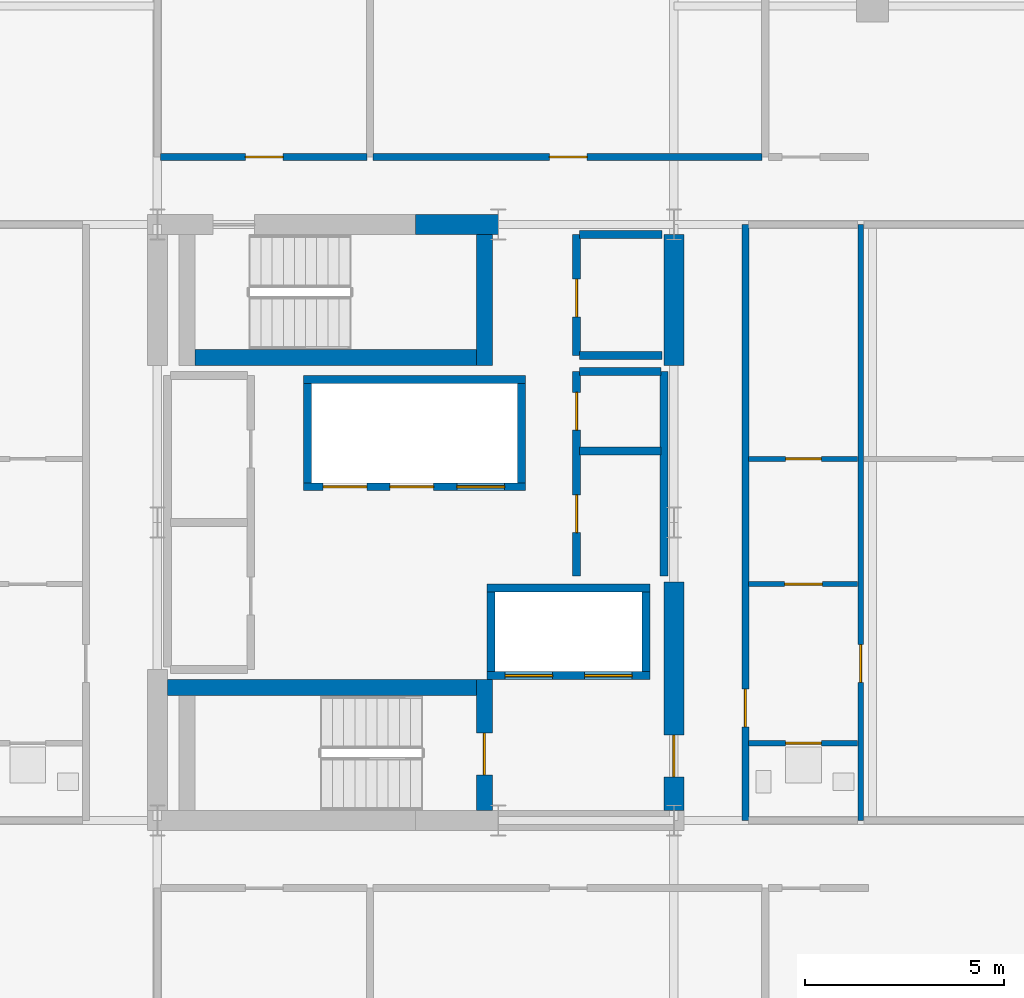
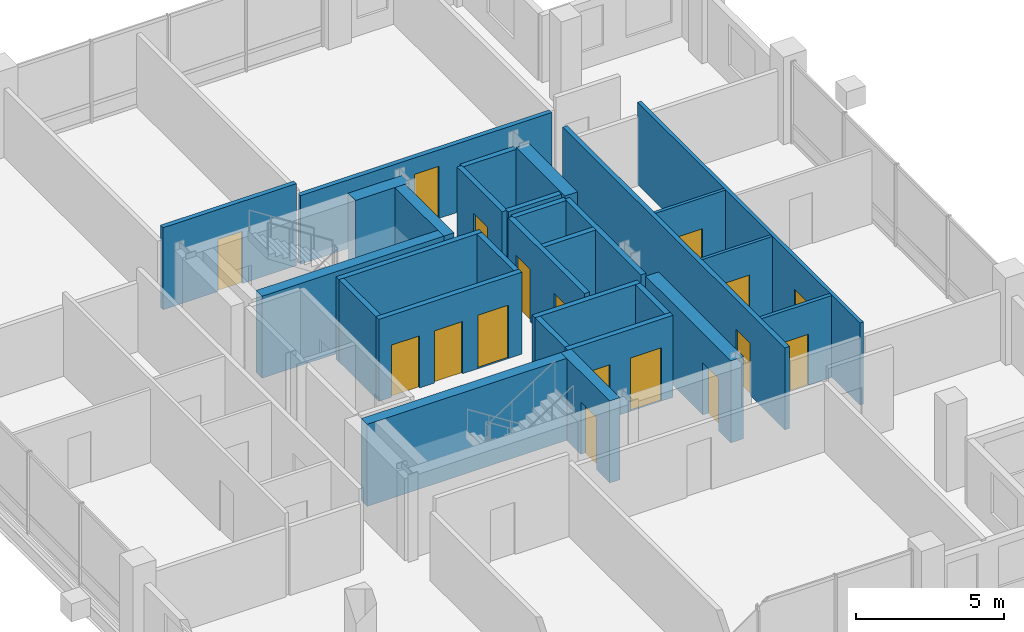
# One storey, part 17 of 21: 29 walls, 17 doors, 17 openings.
"""IFC4 building model written with IfcOpenShell, lengths in metres."""

from ifc_helpers import new_model, si_unit, direction, frame, frame_2d, origin, place, context, subcontext, project, spatial, rectangle, extrude, material, layer, layer_set, type_object, element, fill, save


model = new_model("IFC4")

# Units and contexts
model_context = context("Model", 3, precision=1e-05, world=origin(), true_north=direction((0.0, 1.0)))
body_context = subcontext(model_context, "Body", "Model", "MODEL_VIEW")
ifc_project = project(units=[si_unit("LENGTHUNIT", "METRE"), si_unit("AREAUNIT", "SQUARE_METRE"), si_unit("VOLUMEUNIT", "CUBIC_METRE"), si_unit("PLANEANGLEUNIT", "RADIAN"), si_unit("MASSUNIT", "GRAM", prefix="KILO")], contexts=[model_context])

# Site, building, storey
site_placement = place(None, origin())
site = spatial("IfcSite", under=ifc_project, at=site_placement, CompositionType="ELEMENT")
building_placement = place(site_placement, origin())
building = spatial("IfcBuilding", under=site, at=building_placement, Name="Barlavira Tower and Art Museum", CompositionType="ELEMENT")
storey_placement = place(building_placement, frame((0.0, 0.0, 287.10009765625)))
storey = spatial("IfcBuildingStorey", under=building, at=storey_placement, Name="L75", CompositionType="ELEMENT", Elevation=287.10009765625)

# Wall, opening, door
ifc_material_1 = material(Name="Gypsum acoustic stud partition", Category="gypsum")
ifc_layer_1 = layer(ifc_material_1, 0.1201171875, Name="Gypsum acoustic stud partition")
ifc_layer_set_1 = layer_set([ifc_layer_1], Name="Gypsum acoustic stud partition")
wall_type_1 = type_object("IfcWallType", Name="Apartment Internal Acoustic Partition 120", PredefinedType="PARTITIONING", material=ifc_layer_set_1)
wall_1_placement = place(storey_placement, frame((8.3798828125, -1.550048828125, 0.0), z_axis=(0.0, 0.0, 1.0), x_axis=(1.0, 0.0, 0.0)))
wall_1 = element("IfcWall", 1, at=wall_1_placement, inside=storey, type_object=wall_type_1, Name="L75 Partition Wall 27", PredefinedType="PARTITIONING", context=body_context, shape_type="SweptSolid", body=[
    extrude(rectangle(XDim=2.740234375, YDim=0.1201171875, at=frame_2d((1.3701171875, 0.0))), origin(), (0.0, 0.0, 1.0), 3.3798828125),
])
opening_1_placement = place(wall_1_placement, frame((0.905029296875, 0.0, 0.0)))
opening_1 = element("IfcOpeningElement", 2, at=opening_1_placement, cuts=wall_1, Name="Opening D-02", PredefinedType="OPENING", context=body_context, shape_type="SweptSolid", body=[
    extrude(rectangle(XDim=0.949951171875, YDim=2.10009765625, at=frame_2d((0.47509765625, 1.050048828125))), frame((0.0, 0.070068359375, 0.0), z_axis=(0.0, -1.0, 0.0), x_axis=(1.0, 0.0, 0.0)), (0.0, 0.0, 1.0), 0.14013671875),
])
ifc_material_2 = material(Name="Engineered coastal hardwood", Category="wood")
door_type_1 = type_object("IfcDoorType", Name="Living and Salon Glazed-Leaf Door 950x2100", OperationType="NOTDEFINED", PredefinedType="DOOR", material=ifc_material_2)
door_1_placement = place(opening_1_placement, origin())
door_1 = element("IfcDoor", 3, at=door_1_placement, inside=storey, type_object=door_type_1, Name="Apartment E1 Kitchen Door", OperationType="SINGLE_SWING_RIGHT", OverallHeight=2.10009765625, OverallWidth=0.949951171875, PredefinedType="DOOR", context=body_context, shape_type="SweptSolid", body=[
    extrude(rectangle(XDim=0.949951171875, YDim=2.10009765625, at=frame_2d((0.47509765625, 1.050048828125))), frame((0.0, 0.02490234375, 0.0), z_axis=(0.0, -1.0, 0.0), x_axis=(1.0, 0.0, 0.0)), (0.0, 0.0, 1.0), 0.050048828125),
])
fill(opening_1, door_1)

wall_2_placement = place(storey_placement, frame((8.3798828125, 1.60009765625, 0.0), z_axis=(0.0, 0.0, 1.0), x_axis=(1.0, 0.0, 0.0)))
wall_2 = element("IfcWall", 4, at=wall_2_placement, inside=storey, type_object=wall_type_1, Name="L75 Partition Wall 31", PredefinedType="PARTITIONING", context=body_context, shape_type="SweptSolid", body=[
    extrude(rectangle(XDim=2.740234375, YDim=0.1201171875, at=frame_2d((1.3701171875, 0.0))), origin(), (0.0, 0.0, 1.0), 3.3798828125),
])
opening_2_placement = place(wall_2_placement, frame((0.929931640625, 0.0, 0.0)))
opening_2 = element("IfcOpeningElement", 5, at=opening_2_placement, cuts=wall_2, Name="Opening D-01", PredefinedType="OPENING", context=body_context, shape_type="SweptSolid", body=[
    extrude(rectangle(XDim=0.89990234375, YDim=2.10009765625, at=frame_2d((0.449951171875, 1.050048828125))), frame((0.0, 0.070068359375, 0.0), z_axis=(0.0, -1.0, 0.0), x_axis=(1.0, 0.0, 0.0)), (0.0, 0.0, 1.0), 0.14013671875),
])
door_type_2 = type_object("IfcDoorType", Name="Internal Bedroom Timber Flush Door 900x2100", OperationType="NOTDEFINED", PredefinedType="DOOR", material=ifc_material_2)
door_2_placement = place(opening_2_placement, origin())
door_2 = element("IfcDoor", 6, at=door_2_placement, inside=storey, type_object=door_type_2, Name="Apartment E1 Walk-In Dressing Room Door", OperationType="SINGLE_SWING_LEFT", OverallHeight=2.10009765625, OverallWidth=0.89990234375, PredefinedType="DOOR", context=body_context, shape_type="SweptSolid", body=[
    extrude(rectangle(XDim=0.89990234375, YDim=2.10009765625, at=frame_2d((0.449951171875, 1.050048828125))), frame((0.0, 0.02490234375, 0.0), z_axis=(0.0, -1.0, 0.0), x_axis=(1.0, 0.0, 0.0)), (0.0, 0.0, 1.0), 0.050048828125),
])
fill(opening_2, door_2)

# Wall
ifc_material_3 = material(Name="Concrete C60", Category="concrete")
ifc_layer_2 = layer(ifc_material_3, 0.5, Name="Concrete C60")
ifc_layer_set_2 = layer_set([ifc_layer_2], Name="Concrete C60")
wall_type_2 = type_object("IfcWallType", Name="Core Structural Shear Wall 500 Concrete C60", PredefinedType="SHEAR", material=ifc_layer_set_2)
wall_3_placement = place(storey_placement, frame((0.0, 7.5, 0.0), z_axis=(0.0, 0.0, 1.0), x_axis=(1.0, 0.0, 0.0)))
element("IfcWall", 7, at=wall_3_placement, inside=storey, type_object=wall_type_2, Name="L75 Core Shear Wall CS-EN", PredefinedType="SHEAR", context=body_context, shape_type="SweptSolid", body=[
    extrude(rectangle(XDim=2.080078125, YDim=0.5, at=frame_2d((1.0400390625, 0.0))), origin(), (0.0, 0.0, 1.0), 3.3798828125),
])

# Wall, opening, door
wall_4_placement = place(storey_placement, frame((6.5, -7.25, 0.0), z_axis=(0.0, 0.0, 1.0), x_axis=(0.0, 1.0, 0.0)))
wall_4 = element("IfcWall", 8, at=wall_4_placement, inside=storey, type_object=wall_type_2, Name="L75 Core Shear Wall CS-E1", PredefinedType="SHEAR", context=body_context, shape_type="SweptSolid", body=[
    extrude(rectangle(XDim=5.75, YDim=0.5, at=frame_2d((2.875, 0.0))), origin(), (0.0, 0.0, 1.0), 3.3798828125),
])
opening_3_placement = place(wall_4_placement, frame((0.85009765625, 0.0, 0.0)))
opening_3 = element("IfcOpeningElement", 9, at=opening_3_placement, cuts=wall_4, Name="Opening FD-90", PredefinedType="OPENING", context=body_context, shape_type="SweptSolid", body=[
    extrude(rectangle(XDim=1.050048828125, YDim=2.14990234375, at=frame_2d((0.52490234375, 1.074951171875))), frame((0.0, 0.260009765625, 0.0), z_axis=(0.0, -1.0, 0.0), x_axis=(1.0, 0.0, 0.0)), (0.0, 0.0, 1.0), 0.52001953125),
])
ifc_material_4 = material(Name="Brushed stainless steel", Category="steel")
door_type_3 = type_object("IfcDoorType", Name="Stair and Refuge Fire Door 1050x2150 FD90S", OperationType="NOTDEFINED", PredefinedType="DOOR", material=ifc_material_4)
door_3_placement = place(opening_3_placement, origin())
door_3 = element("IfcDoor", 10, at=door_3_placement, inside=storey, type_object=door_type_3, Name="L75 Firefighting Lobby Entry Fire Door", OperationType="SINGLE_SWING_LEFT", OverallHeight=2.14990234375, OverallWidth=1.050048828125, PredefinedType="DOOR", context=body_context, shape_type="SweptSolid", body=[
    extrude(rectangle(XDim=1.050048828125, YDim=2.14990234375, at=frame_2d((0.52490234375, 1.074951171875))), frame((0.0, 0.02490234375, 0.0), z_axis=(0.0, -1.0, 0.0), x_axis=(1.0, 0.0, 0.0)), (0.0, 0.0, 1.0), 0.050048828125),
])
fill(opening_3, door_3)

# Wall
wall_5_placement = place(storey_placement, frame((6.5, 3.949951171875, 0.0), z_axis=(0.0, 0.0, 1.0), x_axis=(0.0, 1.0, 0.0)))
element("IfcWall", 11, at=wall_5_placement, inside=storey, type_object=wall_type_2, Name="L75 Core Shear Wall CS-E2", PredefinedType="SHEAR", context=body_context, shape_type="SweptSolid", body=[
    extrude(rectangle(XDim=3.300048828125, YDim=0.5, at=frame_2d((1.64990234375, 0.0))), origin(), (0.0, 0.0, 1.0), 3.3798828125),
])

# Wall, openings, doors
ifc_material_5 = material(Name="Autoclaved aerated concrete masonry", Category="masonry")
ifc_layer_3 = layer(ifc_material_5, 0.199951171875, Name="Autoclaved aerated concrete masonry")
ifc_layer_set_3 = layer_set([ifc_layer_3], Name="Autoclaved aerated concrete masonry")
wall_type_3 = type_object("IfcWallType", Name="Fire Compartment and Shaft Wall 200", PredefinedType="SOLIDWALL", material=ifc_layer_set_3)
wall_6_placement = place(storey_placement, frame((-2.820068359375, 0.89990234375, 0.0), z_axis=(0.0, 0.0, 1.0), x_axis=(1.0, 0.0, 0.0)))
wall_6 = element("IfcWall", 12, at=wall_6_placement, inside=storey, type_object=wall_type_3, Name="L75 High-Rise & Service Lift Front Wall", PredefinedType="SOLIDWALL", context=body_context, shape_type="SweptSolid", body=[
    extrude(rectangle(XDim=5.580078125, YDim=0.199951171875, at=frame_2d((2.7900390625, 0.0))), origin(), (0.0, 0.0, 1.0), 3.3798828125),
])
opening_4_placement = place(wall_6_placement, frame((0.489990234375, 0.0, 0.0)))
opening_4 = element("IfcOpeningElement", 13, at=opening_4_placement, cuts=wall_6, Name="Opening LD-P", PredefinedType="OPENING", context=body_context, shape_type="SweptSolid", body=[
    extrude(rectangle(XDim=1.10009765625, YDim=2.14990234375, at=frame_2d((0.550048828125, 1.074951171875))), frame((0.0, 0.10986328125, 0.0), z_axis=(0.0, -1.0, 0.0), x_axis=(1.0, 0.0, 0.0)), (0.0, 0.0, 1.0), 0.219970703125),
])
opening_5_placement = place(wall_6_placement, frame((2.169921875, 0.0, 0.0)))
opening_5 = element("IfcOpeningElement", 14, at=opening_5_placement, cuts=wall_6, Name="Opening LD-P", PredefinedType="OPENING", context=body_context, shape_type="SweptSolid", body=[
    extrude(rectangle(XDim=1.10009765625, YDim=2.14990234375, at=frame_2d((0.550048828125, 1.074951171875))), frame((0.0, 0.10986328125, 0.0), z_axis=(0.0, -1.0, 0.0), x_axis=(1.0, 0.0, 0.0)), (0.0, 0.0, 1.0), 0.219970703125),
])
opening_6_placement = place(wall_6_placement, frame((3.860107421875, 0.0, 0.0)))
opening_6 = element("IfcOpeningElement", 15, at=opening_6_placement, cuts=wall_6, Name="Opening LD-F", PredefinedType="OPENING", context=body_context, shape_type="SweptSolid", body=[
    extrude(rectangle(XDim=1.199951171875, YDim=2.199951171875, at=frame_2d((0.60009765625, 1.10009765625))), frame((0.0, 0.10986328125, 0.0), z_axis=(0.0, -1.0, 0.0), x_axis=(1.0, 0.0, 0.0)), (0.0, 0.0, 1.0), 0.219970703125),
])
door_type_4 = type_object("IfcDoorType", Name="Firefighting and Service Lift Sliding Door 1200x2200 FD120", OperationType="NOTDEFINED", PredefinedType="DOOR", material=ifc_material_4)
door_4_placement = place(opening_6_placement, origin())
door_4 = element("IfcDoor", 16, at=door_4_placement, inside=storey, type_object=door_type_4, Name="L75 Stretcher Service Lift SL1 Sliding Door", OperationType="DOUBLE_DOOR_SLIDING", OverallHeight=2.199951171875, OverallWidth=1.199951171875, PredefinedType="DOOR", context=body_context, shape_type="SweptSolid", body=[
    extrude(rectangle(XDim=1.199951171875, YDim=2.199951171875, at=frame_2d((0.60009765625, 1.10009765625))), frame((0.0, 0.02490234375, 0.0), z_axis=(0.0, -1.0, 0.0), x_axis=(1.0, 0.0, 0.0)), (0.0, 0.0, 1.0), 0.050048828125),
])
fill(opening_6, door_4)
door_type_5 = type_object("IfcDoorType", Name="Passenger Lift Sliding Landing Door 1100x2150 FD60", OperationType="NOTDEFINED", PredefinedType="DOOR", material=ifc_material_4)
door_5_placement = place(opening_4_placement, origin())
door_5 = element("IfcDoor", 17, at=door_5_placement, inside=storey, type_object=door_type_5, Name="L75 Lift PH1 Sliding Landing Door", OperationType="DOUBLE_DOOR_SLIDING", OverallHeight=2.14990234375, OverallWidth=1.10009765625, PredefinedType="DOOR", context=body_context, shape_type="SweptSolid", body=[
    extrude(rectangle(XDim=1.10009765625, YDim=2.14990234375, at=frame_2d((0.550048828125, 1.074951171875))), frame((0.0, 0.02490234375, 0.0), z_axis=(0.0, -1.0, 0.0), x_axis=(1.0, 0.0, 0.0)), (0.0, 0.0, 1.0), 0.050048828125),
])
fill(opening_4, door_5)
door_6_placement = place(opening_5_placement, origin())
door_6 = element("IfcDoor", 18, at=door_6_placement, inside=storey, type_object=door_type_5, Name="L75 Lift PH2 Sliding Landing Door", OperationType="DOUBLE_DOOR_SLIDING", OverallHeight=2.14990234375, OverallWidth=1.10009765625, PredefinedType="DOOR", context=body_context, shape_type="SweptSolid", body=[
    extrude(rectangle(XDim=1.10009765625, YDim=2.14990234375, at=frame_2d((0.550048828125, 1.074951171875))), frame((0.0, 0.02490234375, 0.0), z_axis=(0.0, -1.0, 0.0), x_axis=(1.0, 0.0, 0.0)), (0.0, 0.0, 1.0), 0.050048828125),
])
fill(opening_5, door_6)

# Walls
wall_7_placement = place(storey_placement, frame((-2.820068359375, 3.60009765625, 0.0), z_axis=(0.0, 0.0, 1.0), x_axis=(1.0, 0.0, 0.0)))
element("IfcWall", 19, at=wall_7_placement, inside=storey, type_object=wall_type_3, Name="L75 High-Rise & Service Lift Back Wall", PredefinedType="SOLIDWALL", context=body_context, shape_type="SweptSolid", body=[
    extrude(rectangle(XDim=5.580078125, YDim=0.199951171875, at=frame_2d((2.7900390625, 0.0))), origin(), (0.0, 0.0, 1.0), 3.3798828125),
])
for number, where, z_axis, x_axis, name in (
    (20, (-2.719970703125, 1.0, 0.0), (0.0, 0.0, 1.0), (0.0, 1.0, 0.0), "L75 High-Rise & Service Lift West Wall"),
    (21, (2.659912109375, 1.0, 0.0), (0.0, 0.0, 1.0), (0.0, 1.0, 0.0), "L75 High-Rise & Service Lift East Wall"),
):
    element("IfcWall", number, at=place(storey_placement, frame(where, z_axis=z_axis, x_axis=x_axis)), inside=storey, type_object=wall_type_3, Name=name, PredefinedType="SOLIDWALL", context=body_context, shape_type="SweptSolid", body=[
        extrude(rectangle(XDim=2.5, YDim=0.199951171875, at=frame_2d((1.25, 0.0))), origin(), (0.0, 0.0, 1.0), 3.3798828125),
    ])

# Wall, openings, doors
wall_8_placement = place(storey_placement, frame((1.800048828125, -3.85009765625, 0.0), z_axis=(0.0, 0.0, 1.0), x_axis=(1.0, 0.0, 0.0)))
wall_8 = element("IfcWall", 22, at=wall_8_placement, inside=storey, type_object=wall_type_3, Name="L75 Firefighting Lift Front Shaft Wall", PredefinedType="SOLIDWALL", context=body_context, shape_type="SweptSolid", body=[
    extrude(rectangle(XDim=4.099853515625, YDim=0.199951171875, at=frame_2d((2.0498046875, 0.0))), origin(), (0.0, 0.0, 1.0), 3.3798828125),
])
opening_7_placement = place(wall_8_placement, frame((0.449951171875, 0.0, 0.0)))
opening_7 = element("IfcOpeningElement", 23, at=opening_7_placement, cuts=wall_8, Name="Opening LD-F", PredefinedType="OPENING", context=body_context, shape_type="SweptSolid", body=[
    extrude(rectangle(XDim=1.199951171875, YDim=2.199951171875, at=frame_2d((0.60009765625, 1.10009765625))), frame((0.0, 0.10986328125, 0.0), z_axis=(0.0, -1.0, 0.0), x_axis=(1.0, 0.0, 0.0)), (0.0, 0.0, 1.0), 0.219970703125),
])
opening_8_placement = place(wall_8_placement, frame((2.449951171875, 0.0, 0.0)))
opening_8 = element("IfcOpeningElement", 24, at=opening_8_placement, cuts=wall_8, Name="Opening LD-F", PredefinedType="OPENING", context=body_context, shape_type="SweptSolid", body=[
    extrude(rectangle(XDim=1.199951171875, YDim=2.199951171875, at=frame_2d((0.60009765625, 1.10009765625))), frame((0.0, 0.10986328125, 0.0), z_axis=(0.0, -1.0, 0.0), x_axis=(1.0, 0.0, 0.0)), (0.0, 0.0, 1.0), 0.219970703125),
])
door_7_placement = place(opening_7_placement, origin())
door_7 = element("IfcDoor", 25, at=door_7_placement, inside=storey, type_object=door_type_4, Name="L75 Firefighting Lift FF1 Sliding Door", OperationType="DOUBLE_DOOR_SLIDING", OverallHeight=2.199951171875, OverallWidth=1.199951171875, PredefinedType="DOOR", context=body_context, shape_type="SweptSolid", body=[
    extrude(rectangle(XDim=1.199951171875, YDim=2.199951171875, at=frame_2d((0.60009765625, 1.10009765625))), frame((0.0, 0.02490234375, 0.0), z_axis=(0.0, -1.0, 0.0), x_axis=(1.0, 0.0, 0.0)), (0.0, 0.0, 1.0), 0.050048828125),
])
fill(opening_7, door_7)
door_8_placement = place(opening_8_placement, origin())
door_8 = element("IfcDoor", 26, at=door_8_placement, inside=storey, type_object=door_type_4, Name="L75 Firefighting Lift FF2 Sliding Door", OperationType="DOUBLE_DOOR_SLIDING", OverallHeight=2.199951171875, OverallWidth=1.199951171875, PredefinedType="DOOR", context=body_context, shape_type="SweptSolid", body=[
    extrude(rectangle(XDim=1.199951171875, YDim=2.199951171875, at=frame_2d((0.60009765625, 1.10009765625))), frame((0.0, 0.02490234375, 0.0), z_axis=(0.0, -1.0, 0.0), x_axis=(1.0, 0.0, 0.0)), (0.0, 0.0, 1.0), 0.050048828125),
])
fill(opening_8, door_8)

# Walls
wall_9_placement = place(storey_placement, frame((1.800048828125, -1.64990234375, 0.0), z_axis=(0.0, 0.0, 1.0), x_axis=(1.0, 0.0, 0.0)))
element("IfcWall", 27, at=wall_9_placement, inside=storey, type_object=wall_type_3, Name="L75 Firefighting Lift Back Shaft Wall", PredefinedType="SOLIDWALL", context=body_context, shape_type="SweptSolid", body=[
    extrude(rectangle(XDim=4.099853515625, YDim=0.199951171875, at=frame_2d((2.0498046875, 0.0))), origin(), (0.0, 0.0, 1.0), 3.3798828125),
])
for number, where, z_axis, x_axis, name in (
    (28, (1.89990234375, -3.75, 0.0), (0.0, 0.0, 1.0), (0.0, 1.0, 0.0), "L75 Firefighting Lift West Shaft Wall"),
    (29, (5.800048828125, -3.75, 0.0), (0.0, 0.0, 1.0), (0.0, 1.0, 0.0), "L75 Firefighting Lift East Shaft Wall"),
):
    element("IfcWall", number, at=place(storey_placement, frame(where, z_axis=z_axis, x_axis=x_axis)), inside=storey, type_object=wall_type_3, Name=name, PredefinedType="SOLIDWALL", context=body_context, shape_type="SweptSolid", body=[
        extrude(rectangle(XDim=2.0, YDim=0.199951171875, at=frame_2d((1.0, 0.0))), origin(), (0.0, 0.0, 1.0), 3.3798828125),
    ])

# Wall, openings, doors
wall_10_placement = place(storey_placement, frame((4.050048828125, -1.35009765625, 0.0), z_axis=(0.0, 0.0, 1.0), x_axis=(0.0, 1.0, 0.0)))
wall_10 = element("IfcWall", 30, at=wall_10_placement, inside=storey, type_object=wall_type_3, Name="L75 Partition Wall 9", PredefinedType="SOLIDWALL", context=body_context, shape_type="SweptSolid", body=[
    extrude(rectangle(XDim=5.150146484375, YDim=0.199951171875, at=frame_2d((2.5751953125, 0.0))), origin(), (0.0, 0.0, 1.0), 3.3798828125),
])
opening_9_placement = place(wall_10_placement, frame((1.094970703125, 0.0, 0.0)))
opening_9 = element("IfcOpeningElement", 31, at=opening_9_placement, cuts=wall_10, Name="Opening FD-60", PredefinedType="OPENING", context=body_context, shape_type="SweptSolid", body=[
    extrude(rectangle(XDim=0.949951171875, YDim=2.14990234375, at=frame_2d((0.47509765625, 1.074951171875))), frame((0.0, 0.10986328125, 0.0), z_axis=(0.0, -1.0, 0.0), x_axis=(1.0, 0.0, 0.0)), (0.0, 0.0, 1.0), 0.219970703125),
])
opening_10_placement = place(wall_10_placement, frame((3.675048828125, 0.0, 0.0)))
opening_10 = element("IfcOpeningElement", 32, at=opening_10_placement, cuts=wall_10, Name="Opening FD-60", PredefinedType="OPENING", context=body_context, shape_type="SweptSolid", body=[
    extrude(rectangle(XDim=0.949951171875, YDim=2.14990234375, at=frame_2d((0.47509765625, 1.074951171875))), frame((0.0, 0.10986328125, 0.0), z_axis=(0.0, -1.0, 0.0), x_axis=(1.0, 0.0, 0.0)), (0.0, 0.0, 1.0), 0.219970703125),
])
door_type_6 = type_object("IfcDoorType", Name="Apartment Entrance and Riser Fire Door 950x2150 FD60S", OperationType="NOTDEFINED", PredefinedType="DOOR", material=ifc_material_4)
door_9_placement = place(opening_9_placement, origin())
door_9 = element("IfcDoor", 33, at=door_9_placement, inside=storey, type_object=door_type_6, Name="Reclaimed Upper Core IT Hub Door", OperationType="SINGLE_SWING_LEFT", OverallHeight=2.14990234375, OverallWidth=0.949951171875, PredefinedType="DOOR", context=body_context, shape_type="SweptSolid", body=[
    extrude(rectangle(XDim=0.949951171875, YDim=2.14990234375, at=frame_2d((0.47509765625, 1.074951171875))), frame((0.0, 0.02490234375, 0.0), z_axis=(0.0, -1.0, 0.0), x_axis=(1.0, 0.0, 0.0)), (0.0, 0.0, 1.0), 0.050048828125),
])
fill(opening_9, door_9)
door_10_placement = place(opening_10_placement, origin())
door_10 = element("IfcDoor", 34, at=door_10_placement, inside=storey, type_object=door_type_6, Name="Reclaimed Upper Core Archive Closet Door", OperationType="SINGLE_SWING_RIGHT", OverallHeight=2.14990234375, OverallWidth=0.949951171875, PredefinedType="DOOR", context=body_context, shape_type="SweptSolid", body=[
    extrude(rectangle(XDim=0.949951171875, YDim=2.14990234375, at=frame_2d((0.47509765625, 1.074951171875))), frame((0.0, 0.02490234375, 0.0), z_axis=(0.0, -1.0, 0.0), x_axis=(1.0, 0.0, 0.0)), (0.0, 0.0, 1.0), 0.050048828125),
])
fill(opening_10, door_10)

# Wall, opening, door
wall_11_placement = place(storey_placement, frame((4.050048828125, 4.199951171875, 0.0), z_axis=(0.0, 0.0, 1.0), x_axis=(0.0, 1.0, 0.0)))
wall_11 = element("IfcWall", 35, at=wall_11_placement, inside=storey, type_object=wall_type_3, Name="L75 Partition Wall 10", PredefinedType="SOLIDWALL", context=body_context, shape_type="SweptSolid", body=[
    extrude(rectangle(XDim=3.050048828125, YDim=0.199951171875, at=frame_2d((1.52490234375, 0.0))), origin(), (0.0, 0.0, 1.0), 3.3798828125),
])
opening_11_placement = place(wall_11_placement, frame((0.97509765625, 0.0, 0.0)))
opening_11 = element("IfcOpeningElement", 36, at=opening_11_placement, cuts=wall_11, Name="Opening FD-60", PredefinedType="OPENING", context=body_context, shape_type="SweptSolid", body=[
    extrude(rectangle(XDim=0.949951171875, YDim=2.14990234375, at=frame_2d((0.47509765625, 1.074951171875))), frame((0.0, 0.10986328125, 0.0), z_axis=(0.0, -1.0, 0.0), x_axis=(1.0, 0.0, 0.0)), (0.0, 0.0, 1.0), 0.219970703125),
])
door_11_placement = place(opening_11_placement, origin())
door_11 = element("IfcDoor", 37, at=door_11_placement, inside=storey, type_object=door_type_6, Name="Combined Electrical and Telecom Plant Room Door", OperationType="SINGLE_SWING_LEFT", OverallHeight=2.14990234375, OverallWidth=0.949951171875, PredefinedType="DOOR", context=body_context, shape_type="SweptSolid", body=[
    extrude(rectangle(XDim=0.949951171875, YDim=2.14990234375, at=frame_2d((0.47509765625, 1.074951171875))), frame((0.0, 0.02490234375, 0.0), z_axis=(0.0, -1.0, 0.0), x_axis=(1.0, 0.0, 0.0)), (0.0, 0.0, 1.0), 0.050048828125),
])
fill(opening_11, door_11)

# Walls
wall_12_placement = place(storey_placement, frame((6.25, -1.35009765625, 0.0), z_axis=(0.0, 0.0, 1.0), x_axis=(0.0, 1.0, 0.0)))
element("IfcWall", 38, at=wall_12_placement, inside=storey, type_object=wall_type_3, Name="L75 Partition Wall 11", PredefinedType="SOLIDWALL", context=body_context, shape_type="SweptSolid", body=[
    extrude(rectangle(XDim=5.150146484375, YDim=0.199951171875, at=frame_2d((2.5751953125, 0.0))), origin(), (0.0, 0.0, 1.0), 3.3798828125),
])
for number, where, z_axis, x_axis, name in (
    (39, (4.1298828125, 1.800048828125, 0.0), (0.0, 0.0, 1.0), (1.0, 0.0, 0.0), "L75 Partition Wall 33"),
    (40, (4.1298828125, 3.800048828125, 0.0), (0.0, 0.0, 1.0), (1.0, 0.0, 0.0), "L75 Partition Wall 35"),
):
    element("IfcWall", number, at=place(storey_placement, frame(where, z_axis=z_axis, x_axis=x_axis)), inside=storey, type_object=wall_type_3, Name=name, PredefinedType="SOLIDWALL", context=body_context, shape_type="SweptSolid", body=[
        extrude(rectangle(XDim=2.0400390625, YDim=0.199951171875, at=frame_2d((1.02001953125, 0.0))), origin(), (0.0, 0.0, 1.0), 3.3798828125),
    ])
for number, where, z_axis, x_axis, name in (
    (41, (4.1298828125, 4.199951171875, 0.0), (0.0, 0.0, 1.0), (1.0, 0.0, 0.0), "L75 Partition Wall 36"),
    (42, (4.1298828125, 7.25, 0.0), (0.0, 0.0, 1.0), (1.0, 0.0, 0.0), "L75 Partition Wall 37"),
):
    element("IfcWall", number, at=place(storey_placement, frame(where, z_axis=z_axis, x_axis=x_axis)), inside=storey, type_object=wall_type_3, Name=name, PredefinedType="SOLIDWALL", context=body_context, shape_type="SweptSolid", body=[
        extrude(rectangle(XDim=2.070068359375, YDim=0.199951171875, at=frame_2d((1.03515625, 0.0))), origin(), (0.0, 0.0, 1.0), 3.3798828125),
    ])

# Wall, opening, door
ifc_layer_4 = layer(ifc_material_1, 0.179931640625, Name="Gypsum acoustic stud partition")
ifc_layer_set_4 = layer_set([ifc_layer_4], Name="Gypsum acoustic stud partition")
wall_type_4 = type_object("IfcWallType", Name="Inter-Tenancy Party Partition Wall 180", PredefinedType="PARTITIONING", material=ifc_layer_set_4)
wall_13_placement = place(storey_placement, frame((8.300048828125, -7.5, 0.0), z_axis=(0.0, 0.0, 1.0), x_axis=(0.0, 1.0, 0.0)))
wall_13 = element("IfcWall", 43, at=wall_13_placement, inside=storey, type_object=wall_type_4, Name="L75 Partition Wall 12", PredefinedType="PARTITIONING", context=body_context, shape_type="SweptSolid", body=[
    extrude(rectangle(XDim=15.0, YDim=0.179931640625, at=frame_2d((7.5, 0.0))), origin(), (0.0, 0.0, 1.0), 3.3798828125),
])
opening_12_placement = place(wall_13_placement, frame((2.35498046875, 0.0, 0.0)))
opening_12 = element("IfcOpeningElement", 44, at=opening_12_placement, cuts=wall_13, Name="Opening FD-60", PredefinedType="OPENING", context=body_context, shape_type="SweptSolid", body=[
    extrude(rectangle(XDim=0.949951171875, YDim=2.14990234375, at=frame_2d((0.47509765625, 1.074951171875))), frame((0.0, 0.10009765625, 0.0), z_axis=(0.0, -1.0, 0.0), x_axis=(1.0, 0.0, 0.0)), (0.0, 0.0, 1.0), 0.199951171875),
])
door_12_placement = place(opening_12_placement, origin())
door_12 = element("IfcDoor", 45, at=door_12_placement, inside=storey, type_object=door_type_6, Name="Apartment Entrance Hall E1 Door", OperationType="SINGLE_SWING_LEFT", OverallHeight=2.14990234375, OverallWidth=0.949951171875, PredefinedType="DOOR", context=body_context, shape_type="SweptSolid", body=[
    extrude(rectangle(XDim=0.949951171875, YDim=2.14990234375, at=frame_2d((0.47509765625, 1.074951171875))), frame((0.0, 0.02490234375, 0.0), z_axis=(0.0, -1.0, 0.0), x_axis=(1.0, 0.0, 0.0)), (0.0, 0.0, 1.0), 0.050048828125),
])
fill(opening_12, door_12)

wall_14_placement = place(storey_placement, frame((-6.419921875, 9.199951171875, 0.0), z_axis=(0.0, 0.0, 1.0), x_axis=(1.0, 0.0, 0.0)))
wall_14 = element("IfcWall", 46, at=wall_14_placement, inside=storey, type_object=wall_type_4, Name="L75 Partition Wall 42", PredefinedType="PARTITIONING", context=body_context, shape_type="SweptSolid", body=[
    extrude(rectangle(XDim=5.18994140625, YDim=0.179931640625, at=frame_2d((2.594970703125, 0.0))), origin(), (0.0, 0.0, 1.0), 3.3798828125),
])
opening_13_placement = place(wall_14_placement, frame((2.135009765625, 0.0, 0.0)))
opening_13 = element("IfcOpeningElement", 47, at=opening_13_placement, cuts=wall_14, Name="Opening FD-60", PredefinedType="OPENING", context=body_context, shape_type="SweptSolid", body=[
    extrude(rectangle(XDim=0.949951171875, YDim=2.14990234375, at=frame_2d((0.47509765625, 1.074951171875))), frame((0.0, 0.10009765625, 0.0), z_axis=(0.0, -1.0, 0.0), x_axis=(1.0, 0.0, 0.0)), (0.0, 0.0, 1.0), 0.199951171875),
])
door_13_placement = place(opening_13_placement, origin())
door_13 = element("IfcDoor", 48, at=door_13_placement, inside=storey, type_object=door_type_6, Name="Resident Sky Coworking Studio Door", OperationType="SINGLE_SWING_LEFT", OverallHeight=2.14990234375, OverallWidth=0.949951171875, PredefinedType="DOOR", context=body_context, shape_type="SweptSolid", body=[
    extrude(rectangle(XDim=0.949951171875, YDim=2.14990234375, at=frame_2d((0.47509765625, 1.074951171875))), frame((0.0, 0.02490234375, 0.0), z_axis=(0.0, -1.0, 0.0), x_axis=(1.0, 0.0, 0.0)), (0.0, 0.0, 1.0), 0.050048828125),
])
fill(opening_13, door_13)

wall_15_placement = place(storey_placement, frame((-1.070068359375, 9.199951171875, 0.0), z_axis=(0.0, 0.0, 1.0), x_axis=(1.0, 0.0, 0.0)))
wall_15 = element("IfcWall", 49, at=wall_15_placement, inside=storey, type_object=wall_type_4, Name="L75 Partition Wall 43", PredefinedType="PARTITIONING", context=body_context, shape_type="SweptSolid", body=[
    extrude(rectangle(XDim=9.7900390625, YDim=0.179931640625, at=frame_2d((4.89501953125, 0.0))), origin(), (0.0, 0.0, 1.0), 2.825927734375),
])
opening_14_placement = place(wall_15_placement, frame((4.43505859375, 0.0, 0.0)))
opening_14 = element("IfcOpeningElement", 50, at=opening_14_placement, cuts=wall_15, Name="Opening FD-60", PredefinedType="OPENING", context=body_context, shape_type="SweptSolid", body=[
    extrude(rectangle(XDim=0.949951171875, YDim=2.14990234375, at=frame_2d((0.47509765625, 1.074951171875))), frame((0.0, 0.10009765625, 0.0), z_axis=(0.0, -1.0, 0.0), x_axis=(1.0, 0.0, 0.0)), (0.0, 0.0, 1.0), 0.199951171875),
])
door_14_placement = place(opening_14_placement, origin())
door_14 = element("IfcDoor", 51, at=door_14_placement, inside=storey, type_object=door_type_6, Name="Atlantic Horizon Boardroom Door", OperationType="SINGLE_SWING_RIGHT", OverallHeight=2.14990234375, OverallWidth=0.949951171875, PredefinedType="DOOR", context=body_context, shape_type="SweptSolid", body=[
    extrude(rectangle(XDim=0.949951171875, YDim=2.14990234375, at=frame_2d((0.47509765625, 1.074951171875))), frame((0.0, 0.02490234375, 0.0), z_axis=(0.0, -1.0, 0.0), x_axis=(1.0, 0.0, 0.0)), (0.0, 0.0, 1.0), 0.050048828125),
])
fill(opening_14, door_14)

ifc_layer_5 = layer(ifc_material_1, 0.139892578125, Name="Gypsum acoustic stud partition")
ifc_layer_set_5 = layer_set([ifc_layer_5], Name="Gypsum acoustic stud partition")
wall_type_5 = type_object("IfcWallType", Name="Moisture-Resistant Bathroom Partition 140", PredefinedType="PARTITIONING", material=ifc_layer_set_5)
wall_16_placement = place(storey_placement, frame((11.199951171875, -7.5, 0.0), z_axis=(0.0, 0.0, 1.0), x_axis=(0.0, 1.0, 0.0)))
wall_16 = element("IfcWall", 52, at=wall_16_placement, inside=storey, type_object=wall_type_5, Name="L75 Partition Wall 15", PredefinedType="PARTITIONING", context=body_context, shape_type="SweptSolid", body=[
    extrude(rectangle(XDim=15.0, YDim=0.139892578125, at=frame_2d((7.5, 0.0))), origin(), (0.0, 0.0, 1.0), 3.3798828125),
])
opening_15_placement = place(wall_16_placement, frame((3.47509765625, 0.0, 0.0)))
opening_15 = element("IfcOpeningElement", 53, at=opening_15_placement, cuts=wall_16, Name="Opening D-02", PredefinedType="OPENING", context=body_context, shape_type="SweptSolid", body=[
    extrude(rectangle(XDim=0.949951171875, YDim=2.10009765625, at=frame_2d((0.47509765625, 1.050048828125))), frame((0.0, 0.080078125, 0.0), z_axis=(0.0, -1.0, 0.0), x_axis=(1.0, 0.0, 0.0)), (0.0, 0.0, 1.0), 0.159912109375),
])
door_15_placement = place(opening_15_placement, origin())
door_15 = element("IfcDoor", 54, at=door_15_placement, inside=storey, type_object=door_type_1, Name="Apartment E1 Living Lounge Door", OperationType="SINGLE_SWING_RIGHT", OverallHeight=2.10009765625, OverallWidth=0.949951171875, PredefinedType="DOOR", context=body_context, shape_type="SweptSolid", body=[
    extrude(rectangle(XDim=0.949951171875, YDim=2.10009765625, at=frame_2d((0.47509765625, 1.050048828125))), frame((0.0, 0.02490234375, 0.0), z_axis=(0.0, -1.0, 0.0), x_axis=(1.0, 0.0, 0.0)), (0.0, 0.0, 1.0), 0.050048828125),
])
fill(opening_15, door_15)

wall_17_placement = place(storey_placement, frame((8.3798828125, -5.550048828125, 0.0), z_axis=(0.0, 0.0, 1.0), x_axis=(1.0, 0.0, 0.0)))
wall_17 = element("IfcWall", 55, at=wall_17_placement, inside=storey, type_object=wall_type_5, Name="L75 Partition Wall 24", PredefinedType="PARTITIONING", context=body_context, shape_type="SweptSolid", body=[
    extrude(rectangle(XDim=2.740234375, YDim=0.139892578125, at=frame_2d((1.3701171875, 0.0))), origin(), (0.0, 0.0, 1.0), 3.3798828125),
])
opening_16_placement = place(wall_17_placement, frame((0.929931640625, 0.0, 0.0)))
opening_16 = element("IfcOpeningElement", 56, at=opening_16_placement, cuts=wall_17, Name="Opening D-WC", PredefinedType="OPENING", context=body_context, shape_type="SweptSolid", body=[
    extrude(rectangle(XDim=0.89990234375, YDim=2.10009765625, at=frame_2d((0.449951171875, 1.050048828125))), frame((0.0, 0.080078125, 0.0), z_axis=(0.0, -1.0, 0.0), x_axis=(1.0, 0.0, 0.0)), (0.0, 0.0, 1.0), 0.159912109375),
])
door_type_7 = type_object("IfcDoorType", Name="Accessible Bathroom Flush Door 900x2100", OperationType="NOTDEFINED", PredefinedType="DOOR", material=ifc_material_2)
door_16_placement = place(opening_16_placement, origin())
door_16 = element("IfcDoor", 57, at=door_16_placement, inside=storey, type_object=door_type_7, Name="Apartment E1 Hall Bathroom Door", OperationType="SINGLE_SWING_RIGHT", OverallHeight=2.10009765625, OverallWidth=0.89990234375, PredefinedType="DOOR", context=body_context, shape_type="SweptSolid", body=[
    extrude(rectangle(XDim=0.89990234375, YDim=2.10009765625, at=frame_2d((0.449951171875, 1.050048828125))), frame((0.0, 0.02490234375, 0.0), z_axis=(0.0, -1.0, 0.0), x_axis=(1.0, 0.0, 0.0)), (0.0, 0.0, 1.0), 0.050048828125),
])
fill(opening_16, door_16)

# Wall
ifc_material_6 = material(Name="Concrete C55", Category="concrete")
ifc_layer_6 = layer(ifc_material_6, 0.39990234375, Name="Concrete C55")
ifc_layer_set_6 = layer_set([ifc_layer_6], Name="Concrete C55")
wall_type_6 = type_object("IfcWallType", Name="Upper Core Shear Wall 400 Concrete C55", PredefinedType="SHEAR", material=ifc_layer_set_6)
wall_18_placement = place(storey_placement, frame((-6.25, -4.14990234375, 0.0), z_axis=(0.0, 0.0, 1.0), x_axis=(1.0, 0.0, 0.0)))
element("IfcWall", 58, at=wall_18_placement, inside=storey, type_object=wall_type_6, Name="L75 ST-T1 North Shaft Wall", PredefinedType="SHEAR", context=body_context, shape_type="SweptSolid", body=[
    extrude(rectangle(XDim=7.780029296875, YDim=0.39990234375, at=frame_2d((3.89013671875, 0.0))), origin(), (0.0, 0.0, 1.0), 3.3798828125),
])

# Wall, opening, door
wall_19_placement = place(storey_placement, frame((1.72998046875, -7.25, 0.0), z_axis=(0.0, 0.0, 1.0), x_axis=(0.0, 1.0, 0.0)))
wall_19 = element("IfcWall", 59, at=wall_19_placement, inside=storey, type_object=wall_type_6, Name="L75 ST-T1 East Landing Wall", PredefinedType="SHEAR", context=body_context, shape_type="SweptSolid", body=[
    extrude(rectangle(XDim=3.300048828125, YDim=0.39990234375, at=frame_2d((1.64990234375, 0.0))), origin(), (0.0, 0.0, 1.0), 3.3798828125),
])
opening_17_placement = place(wall_19_placement, frame((0.89990234375, 0.0, 0.0)))
opening_17 = element("IfcOpeningElement", 60, at=opening_17_placement, cuts=wall_19, Name="Opening FD-90", PredefinedType="OPENING", context=body_context, shape_type="SweptSolid", body=[
    extrude(rectangle(XDim=1.050048828125, YDim=2.14990234375, at=frame_2d((0.52490234375, 1.074951171875))), frame((0.0, 0.2099609375, 0.0), z_axis=(0.0, -1.0, 0.0), x_axis=(1.0, 0.0, 0.0)), (0.0, 0.0, 1.0), 0.419921875),
])
door_17_placement = place(opening_17_placement, origin())
door_17 = element("IfcDoor", 61, at=door_17_placement, inside=storey, type_object=door_type_3, Name="L75 Stair ST-T1 Fire Door", OperationType="SINGLE_SWING_RIGHT", OverallHeight=2.14990234375, OverallWidth=1.050048828125, PredefinedType="DOOR", context=body_context, shape_type="SweptSolid", body=[
    extrude(rectangle(XDim=1.050048828125, YDim=2.14990234375, at=frame_2d((0.52490234375, 1.074951171875))), frame((0.0, 0.02490234375, 0.0), z_axis=(0.0, -1.0, 0.0), x_axis=(1.0, 0.0, 0.0)), (0.0, 0.0, 1.0), 0.050048828125),
])
fill(opening_17, door_17)

# Walls
wall_20_placement = place(storey_placement, frame((-5.550048828125, 4.14990234375, 0.0), z_axis=(0.0, 0.0, 1.0), x_axis=(1.0, 0.0, 0.0)))
element("IfcWall", 62, at=wall_20_placement, inside=storey, type_object=wall_type_6, Name="L75 ST-T2 South Shaft Wall", PredefinedType="SHEAR", context=body_context, shape_type="SweptSolid", body=[
    extrude(rectangle(XDim=7.080078125, YDim=0.39990234375, at=frame_2d((3.5400390625, 0.0))), origin(), (0.0, 0.0, 1.0), 3.3798828125),
])
wall_21_placement = place(storey_placement, frame((1.72998046875, 3.949951171875, 0.0), z_axis=(0.0, 0.0, 1.0), x_axis=(0.0, 1.0, 0.0)))
element("IfcWall", 63, at=wall_21_placement, inside=storey, type_object=wall_type_6, Name="L75 ST-T2 East Half-Landing Wall", PredefinedType="SHEAR", context=body_context, shape_type="SweptSolid", body=[
    extrude(rectangle(XDim=3.300048828125, YDim=0.39990234375, at=frame_2d((1.64990234375, 0.0))), origin(), (0.0, 0.0, 1.0), 3.3798828125),
])

save(model, "model.ifc")
